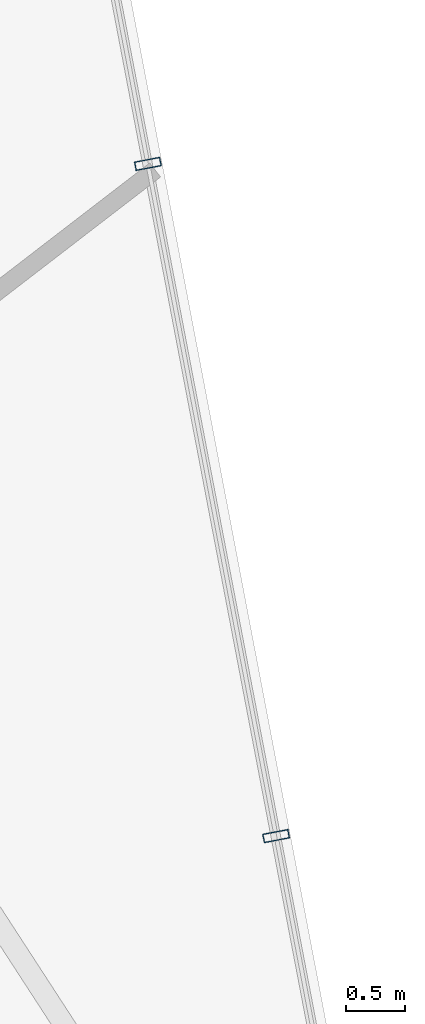
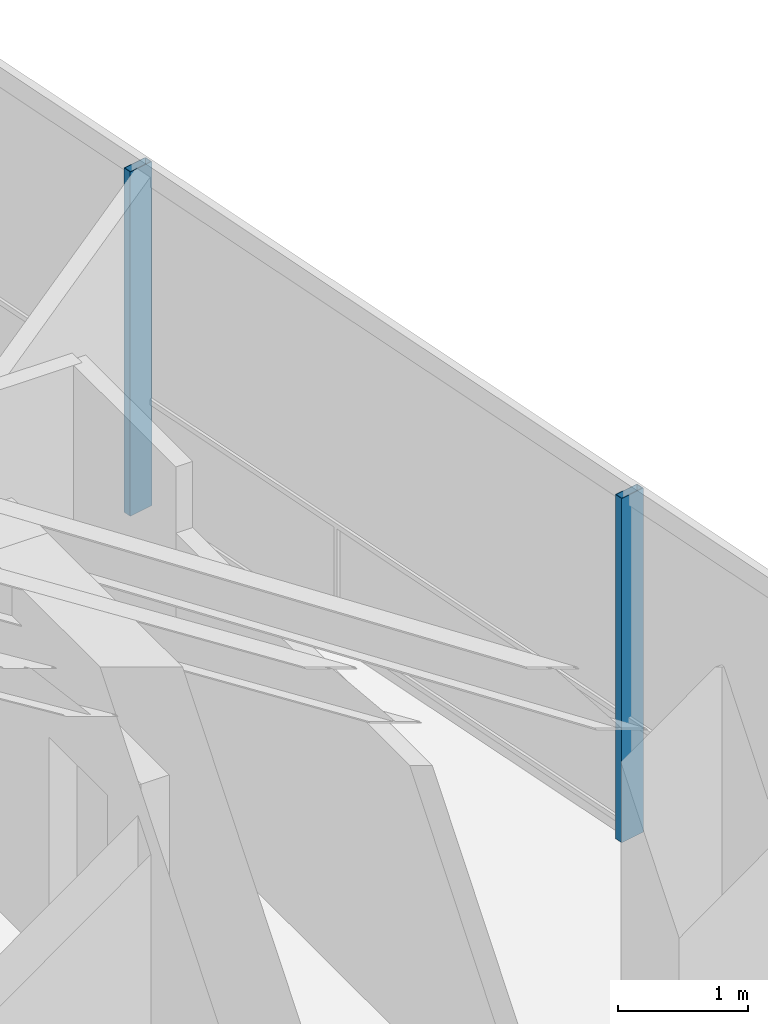
# One storey, part 11 of 18: 2 members, 1 element without a shape of its own.
"""IFC4 building model written with IfcOpenShell, lengths in metres."""

from ifc_helpers import new_model, si_unit, direction, frame, origin, origin_2d, place, context, subcontext, project, spatial, hollow_rectangle, extrude, material, layer, layer_set, material_profile, profile_set, type_object, element, aggregate, save


model = new_model("IFC4")

# Units and contexts
model_context = context("Model", 3, precision=1e-05, world=origin(), true_north=direction((0.0, 1.0)))
body_context = subcontext(model_context, "Body", "Model", "MODEL_VIEW")
ifc_project = project(units=[si_unit("LENGTHUNIT", "METRE"), si_unit("AREAUNIT", "SQUARE_METRE"), si_unit("VOLUMEUNIT", "CUBIC_METRE"), si_unit("PLANEANGLEUNIT", "RADIAN"), si_unit("MASSUNIT", "GRAM", prefix="KILO")], contexts=[model_context])

# Site, building, storey
site_placement = place(None, origin())
site = spatial("IfcSite", under=ifc_project, at=site_placement, CompositionType="ELEMENT")
building_placement = place(site_placement, origin())
building = spatial("IfcBuilding", under=site, at=building_placement, Name="Qarnah Convention Tower", CompositionType="ELEMENT")
storey_placement = place(building_placement, frame((0.0, 0.0, 220.199951171875)))
storey = spatial("IfcBuildingStorey", under=building, at=storey_placement, Name="L59", CompositionType="ELEMENT", Elevation=220.199951171875)

# Curtain wall, members
ifc_material_1 = material(Name="Tempered Low-E dark glass", Category="glass")
ifc_layer = layer(ifc_material_1, 0.174072265625)
ifc_layer_set = layer_set([ifc_layer], Name="Tempered Low-E dark glass")
curtain_wall_type = type_object("IfcCurtainWallType", Name="CWS-04", PredefinedType="NOTDEFINED", material=ifc_layer_set)
curtain_wall_placement = place(storey_placement, origin())
curtain_wall = element("IfcCurtainWall", 1, at=curtain_wall_placement, inside=storey, type_object=curtain_wall_type, Name="L59 unitised curtain wall CW-L59-F3", PredefinedType="NOTDEFINED")
ifc_material_2 = material(Name="Black anodised aluminium", Category="aluminium")
ifc_material_profile = material_profile(ifc_material_2, hollow_rectangle(XDim=0.074951171875, YDim=0.219970703125, WallThickness=0.0048828125, at=origin_2d()), Name="MUL-75X220")
ifc_profile_set = profile_set([ifc_material_profile], Name="Black anodised aluminium")
member_type = type_object("IfcMemberType", Name="MUL-T4", PredefinedType="MULLION", material=ifc_profile_set)
member_1_placement = place(storey_placement, frame((50.952880859375, 37.865478515625, 0.0), z_axis=(0.0, 0.0, 1.0), x_axis=(0.187406876445, -0.982282374199, 0.0)))
member_1 = element("IfcMember", 2, at=member_1_placement, type_object=member_type, Name="CW-L59-F3 mullion 2", PredefinedType="MULLION", context=body_context, shape_type="SweptSolid", body=[
    extrude(hollow_rectangle(XDim=0.074951171875, YDim=0.219970703125, WallThickness=0.0048828125, at=origin_2d()), origin(), (0.0, 0.0, 1.0), 3.239990234375),
])
member_2_placement = place(storey_placement, frame((52.03955078125, 32.169189453125, 0.0), z_axis=(0.0, 0.0, 1.0), x_axis=(0.187406876445, -0.982282374199, 0.0)))
member_2 = element("IfcMember", 3, at=member_2_placement, type_object=member_type, Name="CW-L59-F3 mullion 3", PredefinedType="MULLION", context=body_context, shape_type="SweptSolid", body=[
    extrude(hollow_rectangle(XDim=0.074951171875, YDim=0.219970703125, WallThickness=0.0048828125, at=origin_2d()), origin(), (0.0, 0.0, 1.0), 3.239990234375),
])
aggregate(curtain_wall, [member_1, member_2])

save(model, "model.ifc")
